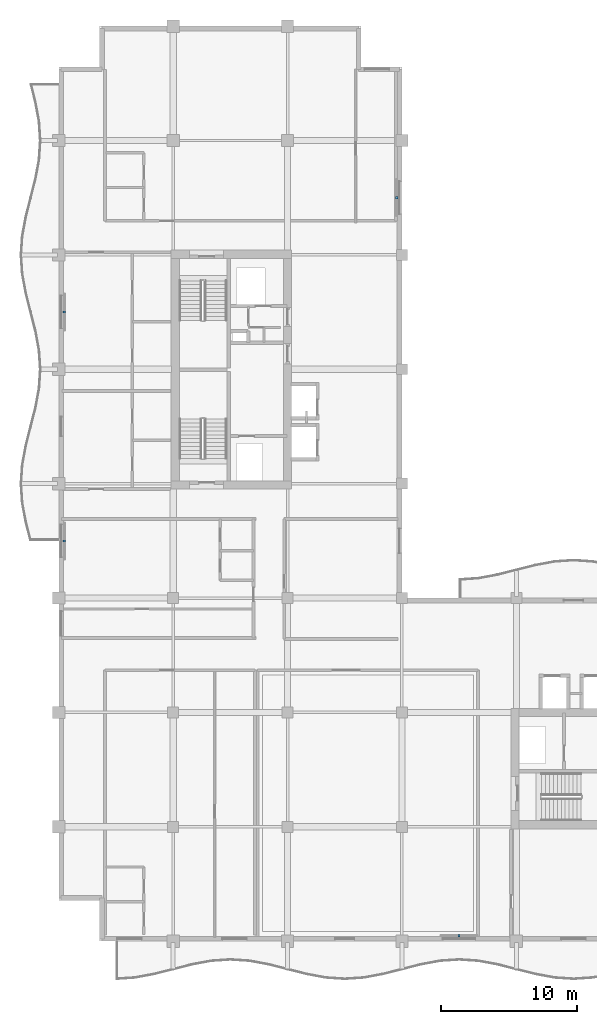
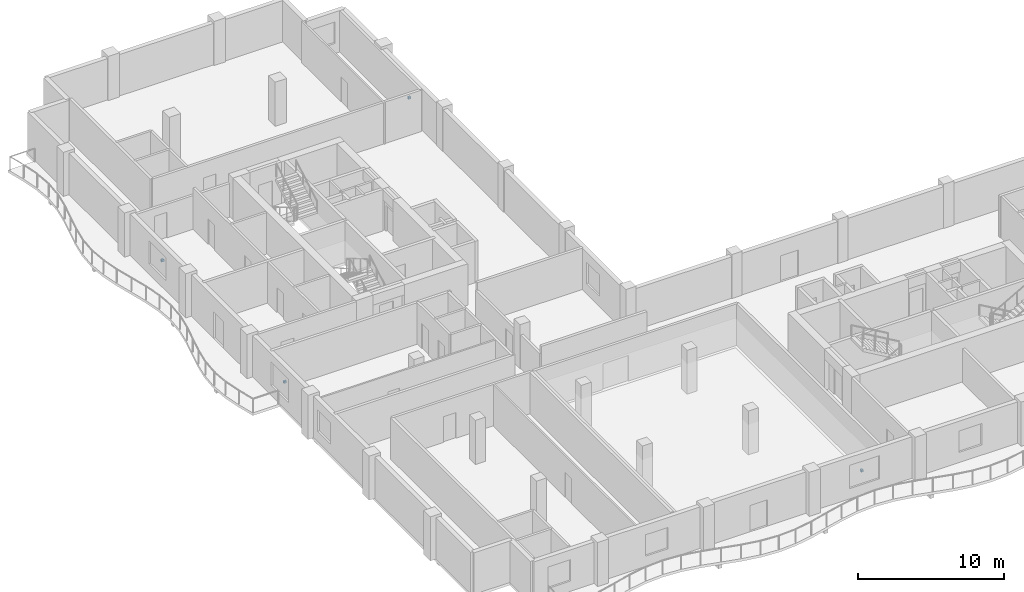
# One storey, part 12 of 16: 4 discrete accessories.
"""IFC4 building model written with IfcOpenShell, lengths in metres."""

from ifc_helpers import new_model, si_unit, direction, frame, origin, origin_2d, place, context, subcontext, project, spatial, rectangle, extrude, material, type_object, element, save


model = new_model("IFC4")

# Units and contexts
model_context = context("Model", 3, precision=1e-05, world=origin(), true_north=direction((0.0, 1.0)))
body_context = subcontext(model_context, "Body", "Model", "MODEL_VIEW")
ifc_project = project(units=[si_unit("LENGTHUNIT", "METRE"), si_unit("AREAUNIT", "SQUARE_METRE"), si_unit("VOLUMEUNIT", "CUBIC_METRE"), si_unit("PLANEANGLEUNIT", "RADIAN"), si_unit("MASSUNIT", "GRAM", prefix="KILO")], contexts=[model_context])

# Site, building, storey
site_placement = place(None, origin())
site = spatial("IfcSite", under=ifc_project, at=site_placement, CompositionType="ELEMENT")
building_placement = place(site_placement, origin())
building = spatial("IfcBuilding", under=site, at=building_placement, Name="Koriwani Terraces Tower", CompositionType="ELEMENT")
storey_placement = place(building_placement, frame((0.0, 0.0, 274.89990234375)))
storey = spatial("IfcBuildingStorey", under=building, at=storey_placement, Name="L68", CompositionType="ELEMENT", Elevation=274.89990234375)

# Discrete accessories
ifc_material = material(Name="Steel ASTM A572 Grade 50", Category="steel")
discrete_accessory_type = type_object("IfcDiscreteAccessoryType", Name="BAGUETTE_STANDOFF_BRACKET", PredefinedType="BRACKET", material=ifc_material)
for number, where, z_axis, x_axis, name in (
    (1, (8.7900390625, 37.800048828125, 1.64501953125), (0.0, 0.0, 1.0), (0.0, 1.0, 0.0), "L68 Terracotta Baguette Bracket (W-9)"),
    (2, (8.7900390625, 54.60009765625, 1.64501953125), (0.0, 0.0, 1.0), (0.0, 1.0, 0.0), "L68 Terracotta Baguette Bracket (W-15)"),
    (3, (33.2099609375, 63.0, 1.64501953125), (0.0, 0.0, 1.0), (0.0, -1.0, 0.0), "L68 Terracotta Baguette Bracket (NW_IN-11)"),
    (4, (37.800048828125, 8.7900390625, 1.64501953125), (0.0, 0.0, 1.0), (-1.0, 0.0, 0.0), "L68 Terracotta Baguette Bracket (S-9)"),
):
    element("IfcDiscreteAccessory", number, at=place(storey_placement, frame(where, z_axis=z_axis, x_axis=x_axis)), inside=storey, type_object=discrete_accessory_type, Name=name, PredefinedType="BRACKET", context=body_context, shape_type="SweptSolid", body=[
        extrude(rectangle(XDim=0.159912109375, YDim=0.199951171875, at=origin_2d()), origin(), (0.0, 0.0, 1.0), 0.179931640625),
    ])

save(model, "model.ifc")
